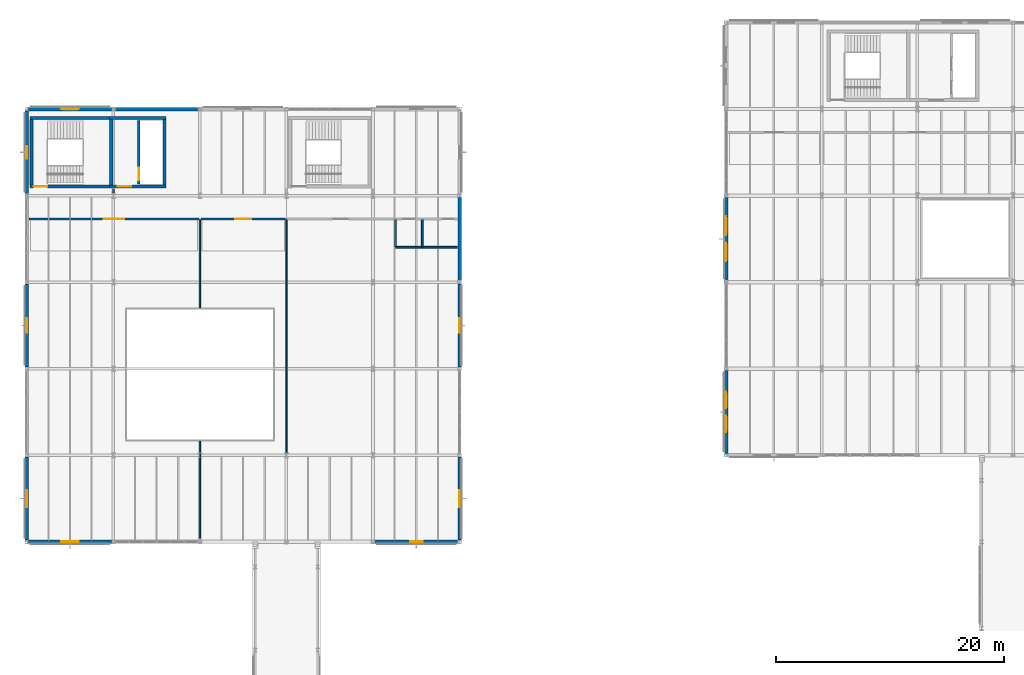
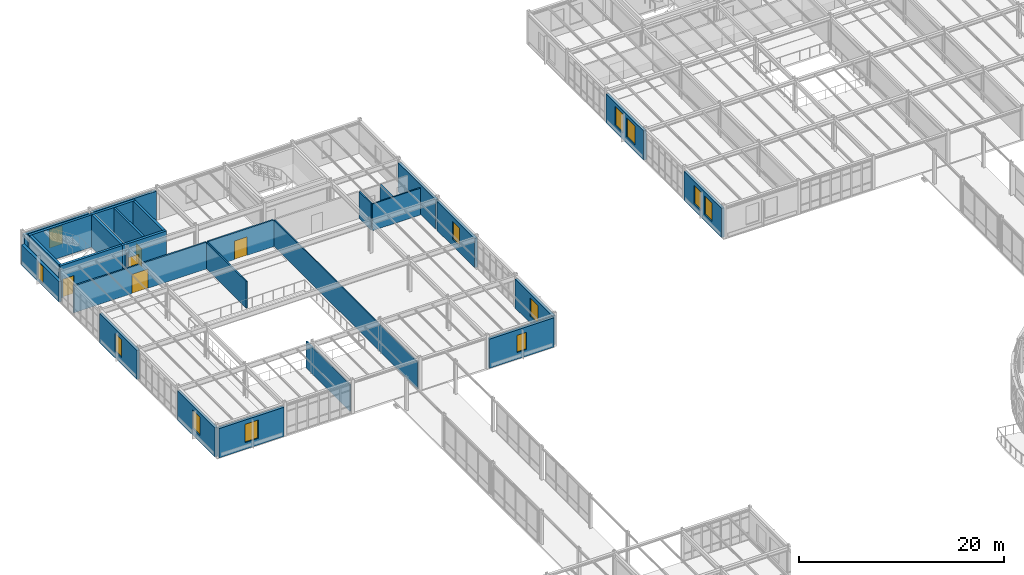
# One storey, part 137 of 165: 29 walls, 12 windows, 5 doors, 17 openings.
"""IFC4 building model written with IfcOpenShell, lengths in metres."""

from ifc_helpers import new_model, si_unit, direction, frame, frame_2d, origin, place, context, subcontext, project, spatial, rectangle, extrude, material, layer, layer_set, type_object, element, fill, save


model = new_model("IFC4")

# Units and contexts
model_context = context("Model", 3, precision=1e-05, world=origin(), true_north=direction((0.0, 1.0)))
body_context = subcontext(model_context, "Body", "Model", "MODEL_VIEW")
ifc_project = project(units=[si_unit("LENGTHUNIT", "METRE"), si_unit("AREAUNIT", "SQUARE_METRE"), si_unit("VOLUMEUNIT", "CUBIC_METRE"), si_unit("PLANEANGLEUNIT", "RADIAN"), si_unit("MASSUNIT", "GRAM", prefix="KILO")], contexts=[model_context])

# Site, building, storey
site_placement = place(None, origin())
site = spatial("IfcSite", under=ifc_project, at=site_placement, CompositionType="ELEMENT")
building_placement = place(site_placement, origin())
building = spatial("IfcBuilding", under=site, at=building_placement, Name="Montecoro Central Library", CompositionType="ELEMENT")
storey_placement = place(building_placement, frame((0.0, 0.0, 5.10009765625)))
storey = spatial("IfcBuildingStorey", under=building, at=storey_placement, Name="L01", CompositionType="ELEMENT", Elevation=5.10009765625)

# Wall, openings, windows
ifc_material_1 = material(Name="Roman travertine stone clad concrete C35/45", Category="masonry")
ifc_layer_1 = layer(ifc_material_1, 0.31005859375)
ifc_layer_set_1 = layer_set([ifc_layer_1], Name="Roman travertine stone clad concrete C35/45")
wall_type_1 = type_object("IfcWallType", Name="EW-TRV-310", PredefinedType="SOLIDWALL", material=ifc_layer_set_1)
wall_1_placement = place(storey_placement, frame((66.39990234375, 103.64697265625, 0.0), z_axis=(0.0, 0.0, 1.0), x_axis=(0.0, -1.0, 0.0)))
wall_1 = element("IfcWall", 1, at=wall_1_placement, inside=storey, type_object=wall_type_1, Name="V2-L01-EW-W2", PredefinedType="SOLIDWALL", context=body_context, shape_type="SweptSolid", body=[
    extrude(rectangle(XDim=7.2939453125, YDim=0.31005859375, at=frame_2d((3.64697265625, 0.0))), origin(), (0.0, 0.0, 1.0), 3.47998046875),
])
opening_1_placement = place(wall_1_placement, frame((1.672119140625, 0.0, 0.800048828125)))
opening_1 = element("IfcOpeningElement", 2, at=opening_1_placement, cuts=wall_1, Name="Opening WN-09", PredefinedType="OPENING", context=body_context, shape_type="SweptSolid", body=[
    extrude(rectangle(XDim=1.64990234375, YDim=2.25, at=frame_2d((0.824951171875, 1.125))), frame((0.0, 0.1650390625, 0.0), z_axis=(0.0, -1.0, 0.0), x_axis=(1.0, 0.0, 0.0)), (0.0, 0.0, 1.0), 0.330078125),
])
opening_2_placement = place(wall_1_placement, frame((3.971923828125, 0.0, 0.800048828125)))
opening_2 = element("IfcOpeningElement", 3, at=opening_2_placement, cuts=wall_1, Name="Opening WN-09", PredefinedType="OPENING", context=body_context, shape_type="SweptSolid", body=[
    extrude(rectangle(XDim=1.64990234375, YDim=2.25, at=frame_2d((0.824951171875, 1.125))), frame((0.0, 0.1650390625, 0.0), z_axis=(0.0, -1.0, 0.0), x_axis=(1.0, 0.0, 0.0)), (0.0, 0.0, 1.0), 0.330078125),
])
ifc_material_2 = material(Name="Laminated low-E double glazing", Category="glass")
window_type_1 = type_object("IfcWindowType", Name="WN-RDG-165", PartitioningType="SINGLE_PANEL", PredefinedType="WINDOW", material=ifc_material_2)
window_1_placement = place(opening_1_placement, origin())
window_1 = element("IfcWindow", 4, at=window_1_placement, inside=storey, type_object=window_type_1, Name="V2-L01-WN-W2-1", OverallHeight=2.25, OverallWidth=1.64990234375, PartitioningType="SINGLE_PANEL", PredefinedType="WINDOW", context=body_context, shape_type="SweptSolid", body=[
    extrude(rectangle(XDim=1.64990234375, YDim=2.25, at=frame_2d((0.824951171875, 1.125))), frame((0.0, 0.030029296875, 0.0), z_axis=(0.0, -1.0, 0.0), x_axis=(1.0, 0.0, 0.0)), (0.0, 0.0, 1.0), 0.06005859375),
])
fill(opening_1, window_1)
window_2_placement = place(opening_2_placement, origin())
window_2 = element("IfcWindow", 5, at=window_2_placement, inside=storey, type_object=window_type_1, Name="V2-L01-WN-W2-2", OverallHeight=2.25, OverallWidth=1.64990234375, PartitioningType="SINGLE_PANEL", PredefinedType="WINDOW", context=body_context, shape_type="SweptSolid", body=[
    extrude(rectangle(XDim=1.64990234375, YDim=2.25, at=frame_2d((0.824951171875, 1.125))), frame((0.0, 0.030029296875, 0.0), z_axis=(0.0, -1.0, 0.0), x_axis=(1.0, 0.0, 0.0)), (0.0, 0.0, 1.0), 0.06005859375),
])
fill(opening_2, window_2)

wall_2_placement = place(storey_placement, frame((66.39990234375, 88.447021484375, 0.0), z_axis=(0.0, 0.0, 1.0), x_axis=(0.0, -1.0, 0.0)))
wall_2 = element("IfcWall", 6, at=wall_2_placement, inside=storey, type_object=wall_type_1, Name="V2-L01-EW-W0", PredefinedType="SOLIDWALL", context=body_context, shape_type="SweptSolid", body=[
    extrude(rectangle(XDim=7.2939453125, YDim=0.31005859375, at=frame_2d((3.64697265625, 0.0))), origin(), (0.0, 0.0, 1.0), 3.47998046875),
])
opening_3_placement = place(wall_2_placement, frame((1.8720703125, 0.0, 0.800048828125)))
opening_3 = element("IfcOpeningElement", 7, at=opening_3_placement, cuts=wall_2, Name="Opening WN-07", PredefinedType="OPENING", context=body_context, shape_type="SweptSolid", body=[
    extrude(rectangle(XDim=1.449951171875, YDim=2.199951171875, at=frame_2d((0.72509765625, 1.10009765625))), frame((0.0, 0.1650390625, 0.0), z_axis=(0.0, -1.0, 0.0), x_axis=(1.0, 0.0, 0.0)), (0.0, 0.0, 1.0), 0.330078125),
])
opening_4_placement = place(wall_2_placement, frame((3.971923828125, 0.0, 0.800048828125)))
opening_4 = element("IfcOpeningElement", 8, at=opening_4_placement, cuts=wall_2, Name="Opening WN-07", PredefinedType="OPENING", context=body_context, shape_type="SweptSolid", body=[
    extrude(rectangle(XDim=1.449951171875, YDim=2.199951171875, at=frame_2d((0.72509765625, 1.10009765625))), frame((0.0, 0.1650390625, 0.0), z_axis=(0.0, -1.0, 0.0), x_axis=(1.0, 0.0, 0.0)), (0.0, 0.0, 1.0), 0.330078125),
])
window_type_2 = type_object("IfcWindowType", Name="WN-RDG-145", PartitioningType="SINGLE_PANEL", PredefinedType="WINDOW", material=ifc_material_2)
window_3_placement = place(opening_3_placement, origin())
window_3 = element("IfcWindow", 9, at=window_3_placement, inside=storey, type_object=window_type_2, Name="V2-L01-WN-W0-1", OverallHeight=2.199951171875, OverallWidth=1.449951171875, PartitioningType="SINGLE_PANEL", PredefinedType="WINDOW", context=body_context, shape_type="SweptSolid", body=[
    extrude(rectangle(XDim=1.449951171875, YDim=2.199951171875, at=frame_2d((0.72509765625, 1.10009765625))), frame((0.0, 0.030029296875, 0.0), z_axis=(0.0, -1.0, 0.0), x_axis=(1.0, 0.0, 0.0)), (0.0, 0.0, 1.0), 0.06005859375),
])
fill(opening_3, window_3)
window_4_placement = place(opening_4_placement, origin())
window_4 = element("IfcWindow", 10, at=window_4_placement, inside=storey, type_object=window_type_2, Name="V2-L01-WN-W0-2", OverallHeight=2.199951171875, OverallWidth=1.449951171875, PartitioningType="SINGLE_PANEL", PredefinedType="WINDOW", context=body_context, shape_type="SweptSolid", body=[
    extrude(rectangle(XDim=1.449951171875, YDim=2.199951171875, at=frame_2d((0.72509765625, 1.10009765625))), frame((0.0, 0.030029296875, 0.0), z_axis=(0.0, -1.0, 0.0), x_axis=(1.0, 0.0, 0.0)), (0.0, 0.0, 1.0), 0.06005859375),
])
fill(opening_4, window_4)

# Wall, opening, window
wall_3_placement = place(storey_placement, frame((5.153076171875, 73.39990234375, 0.0), z_axis=(0.0, 0.0, 1.0), x_axis=(1.0, 0.0, 0.0)))
wall_3 = element("IfcWall", 11, at=wall_3_placement, inside=storey, type_object=wall_type_1, Name="V4-L01-EW-S0", PredefinedType="SOLIDWALL", context=body_context, shape_type="SweptSolid", body=[
    extrude(rectangle(XDim=7.2939453125, YDim=0.31005859375, at=frame_2d((3.64697265625, 0.0))), origin(), (0.0, 0.0, 1.0), 3.47998046875),
])
opening_5_placement = place(wall_3_placement, frame((2.89697265625, 0.0, 0.800048828125)))
opening_5 = element("IfcOpeningElement", 12, at=opening_5_placement, cuts=wall_3, Name="Opening WN-16", PredefinedType="OPENING", context=body_context, shape_type="SweptSolid", body=[
    extrude(rectangle(XDim=1.5, YDim=2.179931640625, at=frame_2d((0.75, 1.08984375))), frame((0.0, 0.1650390625, 0.0), z_axis=(0.0, -1.0, 0.0), x_axis=(1.0, 0.0, 0.0)), (0.0, 0.0, 1.0), 0.330078125),
])
ifc_material_3 = material(Name="Acoustic laminated double glazing", Category="glass")
window_type_3 = type_object("IfcWindowType", Name="WN-AUD-150", PartitioningType="SINGLE_PANEL", PredefinedType="WINDOW", material=ifc_material_3)
window_5_placement = place(opening_5_placement, origin())
window_5 = element("IfcWindow", 13, at=window_5_placement, inside=storey, type_object=window_type_3, Name="V4-L01-WN-S0-1", OverallHeight=2.179931640625, OverallWidth=1.5, PartitioningType="SINGLE_PANEL", PredefinedType="WINDOW", context=body_context, shape_type="SweptSolid", body=[
    extrude(rectangle(XDim=1.5, YDim=2.179931640625, at=frame_2d((0.75, 1.08984375))), frame((0.0, 0.030029296875, 0.0), z_axis=(0.0, -1.0, 0.0), x_axis=(1.0, 0.0, 0.0)), (0.0, 0.0, 1.0), 0.06005859375),
])
fill(opening_5, window_5)

wall_4_placement = place(storey_placement, frame((35.552978515625, 73.39990234375, 0.0), z_axis=(0.0, 0.0, 1.0), x_axis=(1.0, 0.0, 0.0)))
wall_4 = element("IfcWall", 14, at=wall_4_placement, inside=storey, type_object=wall_type_1, Name="V4-L01-EW-S4", PredefinedType="SOLIDWALL", context=body_context, shape_type="SweptSolid", body=[
    extrude(rectangle(XDim=7.2939453125, YDim=0.31005859375, at=frame_2d((3.64697265625, 0.0))), origin(), (0.0, 0.0, 1.0), 3.47998046875),
])
opening_6_placement = place(wall_4_placement, frame((3.096923828125, 0.0, 0.800048828125)))
opening_6 = element("IfcOpeningElement", 15, at=opening_6_placement, cuts=wall_4, Name="Opening WN-14", PredefinedType="OPENING", context=body_context, shape_type="SweptSolid", body=[
    extrude(rectangle(XDim=1.10009765625, YDim=2.050048828125, at=frame_2d((0.550048828125, 1.02490234375))), frame((0.0, 0.1650390625, 0.0), z_axis=(0.0, -1.0, 0.0), x_axis=(1.0, 0.0, 0.0)), (0.0, 0.0, 1.0), 0.330078125),
])
window_type_4 = type_object("IfcWindowType", Name="WN-AUD-110", PartitioningType="SINGLE_PANEL", PredefinedType="WINDOW", material=ifc_material_3)
window_6_placement = place(opening_6_placement, origin())
window_6 = element("IfcWindow", 16, at=window_6_placement, inside=storey, type_object=window_type_4, Name="V4-L01-WN-S4-1", OverallHeight=2.050048828125, OverallWidth=1.10009765625, PartitioningType="SINGLE_PANEL", PredefinedType="WINDOW", context=body_context, shape_type="SweptSolid", body=[
    extrude(rectangle(XDim=1.10009765625, YDim=2.050048828125, at=frame_2d((0.550048828125, 1.02490234375))), frame((0.0, 0.030029296875, 0.0), z_axis=(0.0, -1.0, 0.0), x_axis=(1.0, 0.0, 0.0)), (0.0, 0.0, 1.0), 0.06005859375),
])
fill(opening_6, window_6)

wall_5_placement = place(storey_placement, frame((43.0, 73.552978515625, 0.0), z_axis=(0.0, 0.0, 1.0), x_axis=(0.0, 1.0, 0.0)))
wall_5 = element("IfcWall", 17, at=wall_5_placement, inside=storey, type_object=wall_type_1, Name="V4-L01-EW-E0", PredefinedType="SOLIDWALL", context=body_context, shape_type="SweptSolid", body=[
    extrude(rectangle(XDim=7.2939453125, YDim=0.31005859375, at=frame_2d((3.64697265625, 0.0))), origin(), (0.0, 0.0, 1.0), 3.47998046875),
])
opening_7_placement = place(wall_5_placement, frame((2.89697265625, 0.0, 0.800048828125)))
opening_7 = element("IfcOpeningElement", 18, at=opening_7_placement, cuts=wall_5, Name="Opening WN-16", PredefinedType="OPENING", context=body_context, shape_type="SweptSolid", body=[
    extrude(rectangle(XDim=1.5, YDim=2.179931640625, at=frame_2d((0.75, 1.08984375))), frame((0.0, 0.1650390625, 0.0), z_axis=(0.0, -1.0, 0.0), x_axis=(1.0, 0.0, 0.0)), (0.0, 0.0, 1.0), 0.330078125),
])
window_7_placement = place(opening_7_placement, origin())
window_7 = element("IfcWindow", 19, at=window_7_placement, inside=storey, type_object=window_type_3, Name="V4-L01-WN-E0-1", OverallHeight=2.179931640625, OverallWidth=1.5, PartitioningType="SINGLE_PANEL", PredefinedType="WINDOW", context=body_context, shape_type="SweptSolid", body=[
    extrude(rectangle(XDim=1.5, YDim=2.179931640625, at=frame_2d((0.75, 1.08984375))), frame((0.0, 0.030029296875, 0.0), z_axis=(0.0, -1.0, 0.0), x_axis=(1.0, 0.0, 0.0)), (0.0, 0.0, 1.0), 0.06005859375),
])
fill(opening_7, window_7)

wall_6_placement = place(storey_placement, frame((43.0, 88.7529296875, 0.0), z_axis=(0.0, 0.0, 1.0), x_axis=(0.0, 1.0, 0.0)))
wall_6 = element("IfcWall", 20, at=wall_6_placement, inside=storey, type_object=wall_type_1, Name="V4-L01-EW-E2", PredefinedType="SOLIDWALL", context=body_context, shape_type="SweptSolid", body=[
    extrude(rectangle(XDim=7.294189453125, YDim=0.31005859375, at=frame_2d((3.64697265625, 0.0))), origin(), (0.0, 0.0, 1.0), 3.47998046875),
])
opening_8_placement = place(wall_6_placement, frame((2.9970703125, 0.0, 0.800048828125)))
opening_8 = element("IfcOpeningElement", 21, at=opening_8_placement, cuts=wall_6, Name="Opening WN-15", PredefinedType="OPENING", context=body_context, shape_type="SweptSolid", body=[
    extrude(rectangle(XDim=1.300048828125, YDim=2.1201171875, at=frame_2d((0.64990234375, 1.06005859375))), frame((0.0, 0.1650390625, 0.0), z_axis=(0.0, -1.0, 0.0), x_axis=(1.0, 0.0, 0.0)), (0.0, 0.0, 1.0), 0.330078125),
])
window_type_5 = type_object("IfcWindowType", Name="WN-AUD-130", PartitioningType="SINGLE_PANEL", PredefinedType="WINDOW", material=ifc_material_3)
window_8_placement = place(opening_8_placement, origin())
window_8 = element("IfcWindow", 22, at=window_8_placement, inside=storey, type_object=window_type_5, Name="V4-L01-WN-E2-1", OverallHeight=2.1201171875, OverallWidth=1.300048828125, PartitioningType="SINGLE_PANEL", PredefinedType="WINDOW", context=body_context, shape_type="SweptSolid", body=[
    extrude(rectangle(XDim=1.300048828125, YDim=2.1201171875, at=frame_2d((0.64990234375, 1.06005859375))), frame((0.0, 0.030029296875, 0.0), z_axis=(0.0, -1.0, 0.0), x_axis=(1.0, 0.0, 0.0)), (0.0, 0.0, 1.0), 0.06005859375),
])
fill(opening_8, window_8)

# Walls
wall_7_placement = place(storey_placement, frame((43.0, 96.35302734375, 0.0), z_axis=(0.0, 0.0, 1.0), x_axis=(0.0, 1.0, 0.0)))
element("IfcWall", 23, at=wall_7_placement, inside=storey, type_object=wall_type_1, Name="V4-L01-EW-E3", PredefinedType="SOLIDWALL", context=body_context, shape_type="SweptSolid", body=[
    extrude(rectangle(XDim=7.2939453125, YDim=0.31005859375, at=frame_2d((3.64697265625, 0.0))), origin(), (0.0, 0.0, 1.0), 3.47998046875),
])
wall_8_placement = place(storey_placement, frame((20.047119140625, 111.39990234375, 0.0), z_axis=(0.0, 0.0, 1.0), x_axis=(-1.0, 0.0, 0.0)))
element("IfcWall", 24, at=wall_8_placement, inside=storey, type_object=wall_type_1, Name="V4-L01-EW-N1", PredefinedType="SOLIDWALL", context=body_context, shape_type="SweptSolid", body=[
    extrude(rectangle(XDim=7.294189453125, YDim=0.31005859375, at=frame_2d((3.64697265625, 0.0))), origin(), (0.0, 0.0, 1.0), 3.47998046875),
])

# Wall, opening, window
wall_9_placement = place(storey_placement, frame((12.447021484375, 111.39990234375, 0.0), z_axis=(0.0, 0.0, 1.0), x_axis=(-1.0, 0.0, 0.0)))
wall_9 = element("IfcWall", 25, at=wall_9_placement, inside=storey, type_object=wall_type_1, Name="V4-L01-EW-N0", PredefinedType="SOLIDWALL", context=body_context, shape_type="SweptSolid", body=[
    extrude(rectangle(XDim=7.2939453125, YDim=0.31005859375, at=frame_2d((3.64697265625, 0.0))), origin(), (0.0, 0.0, 1.0), 3.47998046875),
])
opening_9_placement = place(wall_9_placement, frame((2.89697265625, 0.0, 0.800048828125)))
opening_9 = element("IfcOpeningElement", 26, at=opening_9_placement, cuts=wall_9, Name="Opening WN-16", PredefinedType="OPENING", context=body_context, shape_type="SweptSolid", body=[
    extrude(rectangle(XDim=1.5, YDim=2.179931640625, at=frame_2d((0.75, 1.08984375))), frame((0.0, 0.1650390625, 0.0), z_axis=(0.0, -1.0, 0.0), x_axis=(1.0, 0.0, 0.0)), (0.0, 0.0, 1.0), 0.330078125),
])
window_9_placement = place(opening_9_placement, origin())
window_9 = element("IfcWindow", 27, at=window_9_placement, inside=storey, type_object=window_type_3, Name="V4-L01-WN-N0-1", OverallHeight=2.179931640625, OverallWidth=1.5, PartitioningType="SINGLE_PANEL", PredefinedType="WINDOW", context=body_context, shape_type="SweptSolid", body=[
    extrude(rectangle(XDim=1.5, YDim=2.179931640625, at=frame_2d((0.75, 1.08984375))), frame((0.0, 0.030029296875, 0.0), z_axis=(0.0, -1.0, 0.0), x_axis=(1.0, 0.0, 0.0)), (0.0, 0.0, 1.0), 0.06005859375),
])
fill(opening_9, window_9)

wall_10_placement = place(storey_placement, frame((5.0, 111.2470703125, 0.0), z_axis=(0.0, 0.0, 1.0), x_axis=(0.0, -1.0, 0.0)))
wall_10 = element("IfcWall", 28, at=wall_10_placement, inside=storey, type_object=wall_type_1, Name="V4-L01-EW-W4", PredefinedType="SOLIDWALL", context=body_context, shape_type="SweptSolid", body=[
    extrude(rectangle(XDim=7.294189453125, YDim=0.31005859375, at=frame_2d((3.64697265625, 0.0))), origin(), (0.0, 0.0, 1.0), 2.44482421875),
])
opening_10_placement = place(wall_10_placement, frame((3.096923828125, 0.0, 0.294921875)))
opening_10 = element("IfcOpeningElement", 29, at=opening_10_placement, cuts=wall_10, Name="Opening WN-14", PredefinedType="OPENING", context=body_context, shape_type="SweptSolid", body=[
    extrude(rectangle(XDim=1.10009765625, YDim=2.050048828125, at=frame_2d((0.550048828125, 1.02490234375))), frame((0.0, 0.1650390625, 0.0), z_axis=(0.0, -1.0, 0.0), x_axis=(1.0, 0.0, 0.0)), (0.0, 0.0, 1.0), 0.330078125),
])
window_10_placement = place(opening_10_placement, origin())
window_10 = element("IfcWindow", 30, at=window_10_placement, inside=storey, type_object=window_type_4, Name="V4-L01-WN-W4-1", OverallHeight=2.050048828125, OverallWidth=1.10009765625, PartitioningType="SINGLE_PANEL", PredefinedType="WINDOW", context=body_context, shape_type="SweptSolid", body=[
    extrude(rectangle(XDim=1.10009765625, YDim=2.050048828125, at=frame_2d((0.550048828125, 1.02490234375))), frame((0.0, 0.030029296875, 0.0), z_axis=(0.0, -1.0, 0.0), x_axis=(1.0, 0.0, 0.0)), (0.0, 0.0, 1.0), 0.06005859375),
])
fill(opening_10, window_10)

wall_11_placement = place(storey_placement, frame((5.0, 96.047119140625, 0.0), z_axis=(0.0, 0.0, 1.0), x_axis=(0.0, -1.0, 0.0)))
wall_11 = element("IfcWall", 31, at=wall_11_placement, inside=storey, type_object=wall_type_1, Name="V4-L01-EW-W2", PredefinedType="SOLIDWALL", context=body_context, shape_type="SweptSolid", body=[
    extrude(rectangle(XDim=7.294189453125, YDim=0.31005859375, at=frame_2d((3.64697265625, 0.0))), origin(), (0.0, 0.0, 1.0), 3.47998046875),
])
opening_11_placement = place(wall_11_placement, frame((2.9970703125, 0.0, 0.800048828125)))
opening_11 = element("IfcOpeningElement", 32, at=opening_11_placement, cuts=wall_11, Name="Opening WN-15", PredefinedType="OPENING", context=body_context, shape_type="SweptSolid", body=[
    extrude(rectangle(XDim=1.300048828125, YDim=2.1201171875, at=frame_2d((0.64990234375, 1.06005859375))), frame((0.0, 0.1650390625, 0.0), z_axis=(0.0, -1.0, 0.0), x_axis=(1.0, 0.0, 0.0)), (0.0, 0.0, 1.0), 0.330078125),
])
window_11_placement = place(opening_11_placement, origin())
window_11 = element("IfcWindow", 33, at=window_11_placement, inside=storey, type_object=window_type_5, Name="V4-L01-WN-W2-1", OverallHeight=2.1201171875, OverallWidth=1.300048828125, PartitioningType="SINGLE_PANEL", PredefinedType="WINDOW", context=body_context, shape_type="SweptSolid", body=[
    extrude(rectangle(XDim=1.300048828125, YDim=2.1201171875, at=frame_2d((0.64990234375, 1.06005859375))), frame((0.0, 0.030029296875, 0.0), z_axis=(0.0, -1.0, 0.0), x_axis=(1.0, 0.0, 0.0)), (0.0, 0.0, 1.0), 0.06005859375),
])
fill(opening_11, window_11)

wall_12_placement = place(storey_placement, frame((5.0, 80.846923828125, 0.0), z_axis=(0.0, 0.0, 1.0), x_axis=(0.0, -1.0, 0.0)))
wall_12 = element("IfcWall", 34, at=wall_12_placement, inside=storey, type_object=wall_type_1, Name="V4-L01-EW-W0", PredefinedType="SOLIDWALL", context=body_context, shape_type="SweptSolid", body=[
    extrude(rectangle(XDim=7.2939453125, YDim=0.31005859375, at=frame_2d((3.64697265625, 0.0))), origin(), (0.0, 0.0, 1.0), 3.47998046875),
])
opening_12_placement = place(wall_12_placement, frame((2.89697265625, 0.0, 0.800048828125)))
opening_12 = element("IfcOpeningElement", 35, at=opening_12_placement, cuts=wall_12, Name="Opening WN-16", PredefinedType="OPENING", context=body_context, shape_type="SweptSolid", body=[
    extrude(rectangle(XDim=1.5, YDim=2.179931640625, at=frame_2d((0.75, 1.08984375))), frame((0.0, 0.1650390625, 0.0), z_axis=(0.0, -1.0, 0.0), x_axis=(1.0, 0.0, 0.0)), (0.0, 0.0, 1.0), 0.330078125),
])
window_12_placement = place(opening_12_placement, origin())
window_12 = element("IfcWindow", 36, at=window_12_placement, inside=storey, type_object=window_type_3, Name="V4-L01-WN-W0-1", OverallHeight=2.179931640625, OverallWidth=1.5, PartitioningType="SINGLE_PANEL", PredefinedType="WINDOW", context=body_context, shape_type="SweptSolid", body=[
    extrude(rectangle(XDim=1.5, YDim=2.179931640625, at=frame_2d((0.75, 1.08984375))), frame((0.0, 0.030029296875, 0.0), z_axis=(0.0, -1.0, 0.0), x_axis=(1.0, 0.0, 0.0)), (0.0, 0.0, 1.0), 0.06005859375),
])
fill(opening_12, window_12)

# Wall, opening, door
ifc_material_4 = material(Name="Gypsum fire-rated partition")
ifc_layer_2 = layer(ifc_material_4, 0.179931640625)
ifc_layer_set_2 = layer_set([ifc_layer_2], Name="Gypsum fire-rated partition")
wall_type_2 = type_object("IfcWallType", Name="IW-COR-180", PredefinedType="PARTITIONING", material=ifc_layer_set_2)
wall_13_placement = place(storey_placement, frame((5.199951171875, 101.75, 0.0), z_axis=(0.0, 0.0, 1.0), x_axis=(1.0, 0.0, 0.0)))
wall_13 = element("IfcWall", 37, at=wall_13_placement, inside=storey, type_object=wall_type_2, Name="CORW-V4-L01-01", PredefinedType="PARTITIONING", context=body_context, shape_type="SweptSolid", body=[
    extrude(rectangle(XDim=14.91015625, YDim=0.179931640625, at=frame_2d((7.455078125, 0.0))), origin(), (0.0, 0.0, 1.0), 3.179931640625),
])
opening_13_placement = place(wall_13_placement, frame((6.554931640625, 0.0, 0.0)))
opening_13 = element("IfcOpeningElement", 38, at=opening_13_placement, cuts=wall_13, Name="Opening ID-10", PredefinedType="OPENING", context=body_context, shape_type="SweptSolid", body=[
    extrude(rectangle(XDim=1.800048828125, YDim=2.300048828125, at=frame_2d((0.89990234375, 1.14990234375))), frame((0.0, 0.099853515625, 0.0), z_axis=(0.0, -1.0, 0.0), x_axis=(1.0, 0.0, 0.0)), (0.0, 0.0, 1.0), 0.199951171875),
])
ifc_material_5 = material(Name="Solid oak and fire-rated steel door", Category="steel")
door_type_1 = type_object("IfcDoorType", Name="ID-AUD-180", OperationType="NOTDEFINED", PredefinedType="DOOR", material=ifc_material_5)
door_1_placement = place(opening_13_placement, origin())
door_1 = element("IfcDoor", 39, at=door_1_placement, inside=storey, type_object=door_type_1, Name="DR-SP-V4-L01-R1P1", OperationType="DOUBLE_DOOR_SINGLE_SWING", OverallHeight=2.300048828125, OverallWidth=1.800048828125, PredefinedType="DOOR", context=body_context, shape_type="SweptSolid", body=[
    extrude(rectangle(XDim=1.800048828125, YDim=2.300048828125, at=frame_2d((0.89990234375, 1.14990234375))), frame((0.0, 0.02490234375, 0.0), z_axis=(0.0, -1.0, 0.0), x_axis=(1.0, 0.0, 0.0)), (0.0, 0.0, 1.0), 0.050048828125),
])
fill(opening_13, door_1)

wall_14_placement = place(storey_placement, frame((20.2900390625, 101.75, 0.0), z_axis=(0.0, 0.0, 1.0), x_axis=(1.0, 0.0, 0.0)))
wall_14 = element("IfcWall", 40, at=wall_14_placement, inside=storey, type_object=wall_type_2, Name="CORW-V4-L01-02", PredefinedType="PARTITIONING", context=body_context, shape_type="SweptSolid", body=[
    extrude(rectangle(XDim=7.419921875, YDim=0.179931640625, at=frame_2d((3.7099609375, 0.0))), origin(), (0.0, 0.0, 1.0), 3.179931640625),
])
opening_14_placement = place(wall_14_placement, frame((3.010009765625, 0.0, 0.0)))
opening_14 = element("IfcOpeningElement", 41, at=opening_14_placement, cuts=wall_14, Name="Opening ID-08", PredefinedType="OPENING", context=body_context, shape_type="SweptSolid", body=[
    extrude(rectangle(XDim=1.39990234375, YDim=2.219970703125, at=frame_2d((0.699951171875, 1.10986328125))), frame((0.0, 0.099853515625, 0.0), z_axis=(0.0, -1.0, 0.0), x_axis=(1.0, 0.0, 0.0)), (0.0, 0.0, 1.0), 0.199951171875),
])
door_type_2 = type_object("IfcDoorType", Name="ID-RDG-140", OperationType="NOTDEFINED", PredefinedType="DOOR", material=ifc_material_5)
door_2_placement = place(opening_14_placement, origin())
door_2 = element("IfcDoor", 42, at=door_2_placement, inside=storey, type_object=door_type_2, Name="DR-SP-V4-L01-R2P1", OperationType="SINGLE_SWING_LEFT", OverallHeight=2.219970703125, OverallWidth=1.39990234375, PredefinedType="DOOR", context=body_context, shape_type="SweptSolid", body=[
    extrude(rectangle(XDim=1.39990234375, YDim=2.219970703125, at=frame_2d((0.699951171875, 1.10986328125))), frame((0.0, 0.02490234375, 0.0), z_axis=(0.0, -1.0, 0.0), x_axis=(1.0, 0.0, 0.0)), (0.0, 0.0, 1.0), 0.050048828125),
])
fill(opening_14, door_2)

# Wall
wall_15_placement = place(storey_placement, frame((12.60009765625, 104.0400390625, 0.0), z_axis=(0.0, 0.0, 1.0), x_axis=(0.0, 1.0, 0.0)))
element("IfcWall", 43, at=wall_15_placement, inside=storey, type_object=wall_type_2, Name="PIL-V4-L01-1", PredefinedType="PARTITIONING", context=body_context, shape_type="SweptSolid", body=[
    extrude(rectangle(XDim=0.320068359375, YDim=0.179931640625, at=frame_2d((0.16015625, 0.0))), origin(), (0.0, 0.0, 1.0), 3.179931640625),
])

# Wall, opening, door
ifc_material_6 = material(Name="Concrete C32/40", Category="concrete")
ifc_layer_3 = layer(ifc_material_6, 0.219970703125)
ifc_layer_set_3 = layer_set([ifc_layer_3], Name="Concrete C32/40")
wall_type_3 = type_object("IfcWallType", Name="IW-FFL-220", PredefinedType="SOLIDWALL", material=ifc_layer_set_3)
wall_16_placement = place(storey_placement, frame((14.85009765625, 104.800048828125, 0.0), z_axis=(0.0, 0.0, 1.0), x_axis=(0.0, 1.0, 0.0)))
wall_16 = element("IfcWall", 44, at=wall_16_placement, inside=storey, type_object=wall_type_3, Name="C5-L01-WLSH", PredefinedType="SOLIDWALL", context=body_context, shape_type="SweptSolid", body=[
    extrude(rectangle(XDim=5.599853515625, YDim=0.219970703125, at=frame_2d((2.7998046875, 0.0))), origin(), (0.0, 0.0, 1.0), 3.844970703125),
])
opening_15_placement = place(wall_16_placement, frame((0.35009765625, 0.0, 0.0)))
opening_15 = element("IfcOpeningElement", 45, at=opening_15_placement, cuts=wall_16, Name="Opening LD-01", PredefinedType="OPENING", context=body_context, shape_type="SweptSolid", body=[
    extrude(rectangle(XDim=1.10009765625, YDim=2.14990234375, at=frame_2d((0.550048828125, 1.074951171875))), frame((0.0, 0.119873046875, 0.0), z_axis=(0.0, -1.0, 0.0), x_axis=(1.0, 0.0, 0.0)), (0.0, 0.0, 1.0), 0.239990234375),
])
door_type_3 = type_object("IfcDoorType", Name="LD-LIFT-110", OperationType="NOTDEFINED", PredefinedType="DOOR", material=ifc_material_5)
door_3_placement = place(opening_15_placement, origin())
door_3 = element("IfcDoor", 46, at=door_3_placement, inside=storey, type_object=door_type_3, Name="C5-L01-LD-PL-05", OperationType="SLIDING_TO_LEFT", OverallHeight=2.14990234375, OverallWidth=1.10009765625, PredefinedType="DOOR", context=body_context, shape_type="SweptSolid", body=[
    extrude(rectangle(XDim=1.10009765625, YDim=2.14990234375, at=frame_2d((0.550048828125, 1.074951171875))), frame((0.0, 0.02490234375, 0.0), z_axis=(0.0, -1.0, 0.0), x_axis=(1.0, 0.0, 0.0)), (0.0, 0.0, 1.0), 0.050048828125),
])
fill(opening_15, door_3)

# Walls
ifc_material_7 = material(Name="Gypsum metal-stud partition")
ifc_layer_4 = layer(ifc_material_7, 0.1201171875)
ifc_layer_set_4 = layer_set([ifc_layer_4], Name="Gypsum metal-stud partition")
wall_type_4 = type_object("IfcWallType", Name="IW-PRT-120", PredefinedType="PARTITIONING", material=ifc_layer_set_4)
wall_17_placement = place(storey_placement, frame((27.800048828125, 73.719970703125, 0.0), z_axis=(0.0, 0.0, 1.0), x_axis=(0.0, 1.0, 0.0)))
element("IfcWall", 47, at=wall_17_placement, inside=storey, type_object=wall_type_4, Name="DIVW-V4-L01-02-1", PredefinedType="PARTITIONING", context=body_context, shape_type="SweptSolid", body=[
    extrude(rectangle(XDim=27.93994140625, YDim=0.1201171875, at=frame_2d((13.969970703125, 0.0))), origin(), (0.0, 0.0, 1.0), 3.179931640625),
])
ifc_layer_5 = layer(ifc_material_7, 0.139892578125)
ifc_layer_set_5 = layer_set([ifc_layer_5], Name="Gypsum metal-stud partition")
wall_type_5 = type_object("IfcWallType", Name="IW-PRT-140", PredefinedType="PARTITIONING", material=ifc_layer_set_5)
wall_18_placement = place(storey_placement, frame((20.199951171875, 73.719970703125, 0.0), z_axis=(0.0, 0.0, 1.0), x_axis=(0.0, 1.0, 0.0)))
element("IfcWall", 48, at=wall_18_placement, inside=storey, type_object=wall_type_5, Name="DIVW-V4-L01-01-1", PredefinedType="PARTITIONING", context=body_context, shape_type="SweptSolid", body=[
    extrude(rectangle(XDim=8.530029296875, YDim=0.139892578125, at=frame_2d((4.26513671875, 0.0))), origin(), (0.0, 0.0, 1.0), 3.179931640625),
])
wall_19_placement = place(storey_placement, frame((20.199951171875, 93.949951171875, 0.0), z_axis=(0.0, 0.0, 1.0), x_axis=(0.0, 1.0, 0.0)))
element("IfcWall", 49, at=wall_19_placement, inside=storey, type_object=wall_type_5, Name="DIVW-V4-L01-01-2", PredefinedType="PARTITIONING", context=body_context, shape_type="SweptSolid", body=[
    extrude(rectangle(XDim=7.7099609375, YDim=0.139892578125, at=frame_2d((3.85498046875, 0.0))), origin(), (0.0, 0.0, 1.0), 3.179931640625),
])

# Wall, opening, door
ifc_material_8 = material(Name="Concrete C35/45", Category="concrete")
ifc_layer_6 = layer(ifc_material_8, 0.280029296875)
ifc_layer_set_6 = layer_set([ifc_layer_6], Name="Concrete C35/45")
wall_type_6 = type_object("IfcWallType", Name="IW-SHR-280", PredefinedType="SHEAR", material=ifc_layer_set_6)
wall_20_placement = place(storey_placement, frame((12.280029296875, 104.60009765625, 0.0), z_axis=(0.0, 0.0, 1.0), x_axis=(1.0, 0.0, 0.0)))
wall_20 = element("IfcWall", 50, at=wall_20_placement, inside=storey, type_object=wall_type_6, Name="C5-L01-LWS", PredefinedType="SHEAR", context=body_context, shape_type="SweptSolid", body=[
    extrude(rectangle(XDim=4.9599609375, YDim=0.280029296875, at=frame_2d((2.47998046875, 0.0))), origin(), (0.0, 0.0, 1.0), 3.844970703125),
])
opening_16_placement = place(wall_20_placement, frame((0.68994140625, 0.0, 0.0)))
opening_16 = element("IfcOpeningElement", 51, at=opening_16_placement, cuts=wall_20, Name="Opening ID-03", PredefinedType="OPENING", context=body_context, shape_type="SweptSolid", body=[
    extrude(rectangle(XDim=1.199951171875, YDim=2.159912109375, at=frame_2d((0.60009765625, 1.080078125))), frame((0.0, 0.14990234375, 0.0), z_axis=(0.0, -1.0, 0.0), x_axis=(1.0, 0.0, 0.0)), (0.0, 0.0, 1.0), 0.300048828125),
])
door_type_4 = type_object("IfcDoorType", Name="ID-FFL-120", OperationType="NOTDEFINED", PredefinedType="DOOR", material=ifc_material_5)
door_4_placement = place(opening_16_placement, origin())
door_4 = element("IfcDoor", 52, at=door_4_placement, inside=storey, type_object=door_type_4, Name="C5-L01-DLOB", OperationType="SINGLE_SWING_LEFT", OverallHeight=2.159912109375, OverallWidth=1.199951171875, PredefinedType="DOOR", context=body_context, shape_type="SweptSolid", body=[
    extrude(rectangle(XDim=1.199951171875, YDim=2.159912109375, at=frame_2d((0.60009765625, 1.080078125))), frame((0.0, 0.02490234375, 0.0), z_axis=(0.0, -1.0, 0.0), x_axis=(1.0, 0.0, 0.0)), (0.0, 0.0, 1.0), 0.050048828125),
])
fill(opening_16, door_4)

# Walls
wall_21_placement = place(storey_placement, frame((17.239990234375, 110.60009765625, 0.0), z_axis=(0.0, 0.0, 1.0), x_axis=(-1.0, 0.0, 0.0)))
element("IfcWall", 53, at=wall_21_placement, inside=storey, type_object=wall_type_6, Name="C5-L01-LWN", PredefinedType="SHEAR", context=body_context, shape_type="SweptSolid", body=[
    extrude(rectangle(XDim=4.9599609375, YDim=0.280029296875, at=frame_2d((2.47998046875, 0.0))), origin(), (0.0, 0.0, 1.0), 3.844970703125),
])
wall_22_placement = place(storey_placement, frame((17.10009765625, 104.739990234375, 0.0), z_axis=(0.0, 0.0, 1.0), x_axis=(0.0, 1.0, 0.0)))
element("IfcWall", 54, at=wall_22_placement, inside=storey, type_object=wall_type_6, Name="C5-L01-LWE", PredefinedType="SHEAR", context=body_context, shape_type="SweptSolid", body=[
    extrude(rectangle(XDim=5.719970703125, YDim=0.280029296875, at=frame_2d((2.85986328125, 0.0))), origin(), (0.0, 0.0, 1.0), 3.844970703125),
])

# Wall, opening, door
wall_23_placement = place(storey_placement, frame((5.280029296875, 104.60009765625, 0.0), z_axis=(0.0, 0.0, 1.0), x_axis=(1.0, 0.0, 0.0)))
wall_23 = element("IfcWall", 55, at=wall_23_placement, inside=storey, type_object=wall_type_6, Name="C5-L01-WS", PredefinedType="SHEAR", context=body_context, shape_type="SweptSolid", body=[
    extrude(rectangle(XDim=7.280029296875, YDim=0.280029296875, at=frame_2d((3.64013671875, 0.0))), origin(), (0.0, 0.0, 1.0), 3.844970703125),
])
opening_17_placement = place(wall_23_placement, frame((0.320068359375, 0.0, 0.0)))
opening_17 = element("IfcOpeningElement", 56, at=opening_17_placement, cuts=wall_23, Name="Opening ID-01", PredefinedType="OPENING", context=body_context, shape_type="SweptSolid", body=[
    extrude(rectangle(XDim=1.219970703125, YDim=2.179931640625, at=frame_2d((0.60986328125, 1.08984375))), frame((0.0, 0.14990234375, 0.0), z_axis=(0.0, -1.0, 0.0), x_axis=(1.0, 0.0, 0.0)), (0.0, 0.0, 1.0), 0.300048828125),
])
door_type_5 = type_object("IfcDoorType", Name="ID-STR-140", OperationType="NOTDEFINED", PredefinedType="DOOR", material=ifc_material_5)
door_5_placement = place(opening_17_placement, origin())
door_5 = element("IfcDoor", 57, at=door_5_placement, inside=storey, type_object=door_type_5, Name="C5-L01-DSTR", OperationType="SINGLE_SWING_RIGHT", OverallHeight=2.179931640625, OverallWidth=1.219970703125, PredefinedType="DOOR", context=body_context, shape_type="SweptSolid", body=[
    extrude(rectangle(XDim=1.219970703125, YDim=2.179931640625, at=frame_2d((0.60986328125, 1.08984375))), frame((0.0, 0.02490234375, 0.0), z_axis=(0.0, -1.0, 0.0), x_axis=(1.0, 0.0, 0.0)), (0.0, 0.0, 1.0), 0.050048828125),
])
fill(opening_17, door_5)

# Walls
wall_24_placement = place(storey_placement, frame((5.280029296875, 110.60009765625, 0.0), z_axis=(0.0, 0.0, 1.0), x_axis=(1.0, 0.0, 0.0)))
element("IfcWall", 58, at=wall_24_placement, inside=storey, type_object=wall_type_6, Name="C5-L01-WN", PredefinedType="SHEAR", context=body_context, shape_type="SweptSolid", body=[
    extrude(rectangle(XDim=7.280029296875, YDim=0.280029296875, at=frame_2d((3.64013671875, 0.0))), origin(), (0.0, 0.0, 1.0), 3.844970703125),
])
for number, where, z_axis, x_axis, name in (
    (59, (5.419921875, 104.739990234375, 0.0), (0.0, 0.0, 1.0), (0.0, 1.0, 0.0), "C5-L01-WW"),
    (60, (12.419921875, 104.739990234375, 0.0), (0.0, 0.0, 1.0), (0.0, 1.0, 0.0), "C5-L01-WE"),
):
    element("IfcWall", number, at=place(storey_placement, frame(where, z_axis=z_axis, x_axis=x_axis)), inside=storey, type_object=wall_type_6, Name=name, PredefinedType="SHEAR", context=body_context, shape_type="SweptSolid", body=[
        extrude(rectangle(XDim=5.719970703125, YDim=0.280029296875, at=frame_2d((2.85986328125, 0.0))), origin(), (0.0, 0.0, 1.0), 3.844970703125),
    ])
ifc_material_9 = material(Name="Moisture-resistant ceramic-tiled partition")
ifc_layer_7 = layer(ifc_material_9, 0.14990234375)
ifc_layer_set_7 = layer_set([ifc_layer_7], Name="Moisture-resistant ceramic-tiled partition")
wall_type_7 = type_object("IfcWallType", Name="IW-WET-150", PredefinedType="PARTITIONING", material=ifc_layer_set_7)
wall_25_placement = place(storey_placement, frame((37.3798828125, 99.27001953125, 0.0), z_axis=(0.0, 0.0, 1.0), x_axis=(1.0, 0.0, 0.0)))
element("IfcWall", 61, at=wall_25_placement, inside=storey, type_object=wall_type_7, Name="WC-V4-L01-WBK", PredefinedType="PARTITIONING", context=body_context, shape_type="SweptSolid", body=[
    extrude(rectangle(XDim=5.420166015625, YDim=0.14990234375, at=frame_2d((2.7099609375, 0.0))), origin(), (0.0, 0.0, 1.0), 3.179931640625),
])
for number, where, z_axis, x_axis, name in (
    (62, (37.3798828125, 99.330078125, 0.0), (0.0, 0.0, 1.0), (0.0, 1.0, 0.0), "WC-V4-L01-WW"),
    (63, (39.72998046875, 99.330078125, 0.0), (0.0, 0.0, 1.0), (0.0, 1.0, 0.0), "WC-V4-L01-WM"),
):
    element("IfcWall", number, at=place(storey_placement, frame(where, z_axis=z_axis, x_axis=x_axis)), inside=storey, type_object=wall_type_7, Name=name, PredefinedType="PARTITIONING", context=body_context, shape_type="SweptSolid", body=[
        extrude(rectangle(XDim=2.35986328125, YDim=0.14990234375, at=frame_2d((1.179931640625, 0.0))), origin(), (0.0, 0.0, 1.0), 3.179931640625),
    ])

save(model, "model.ifc")
